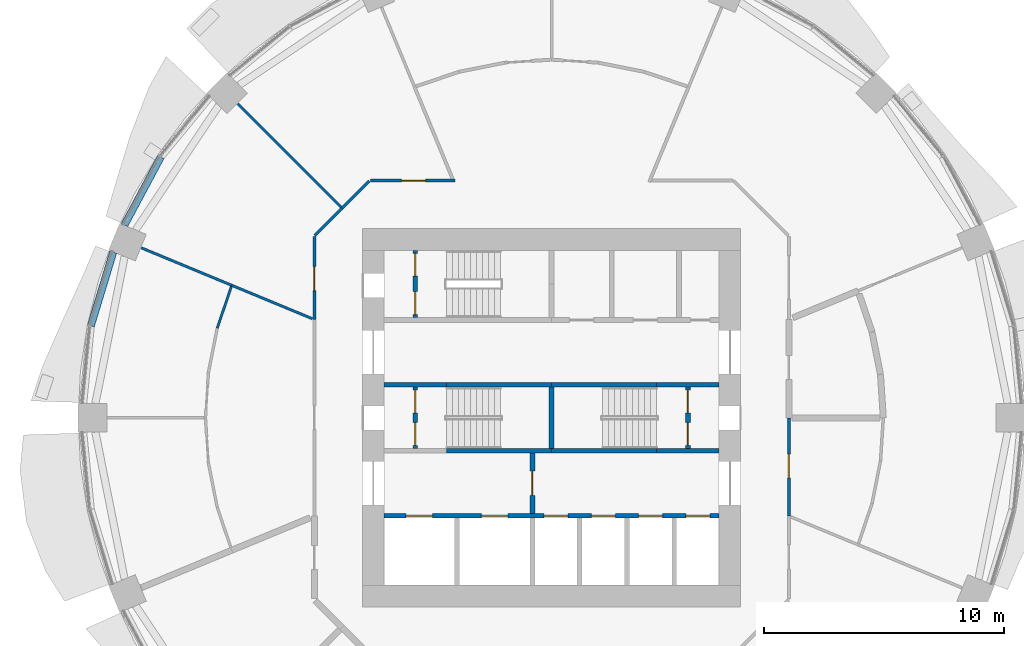
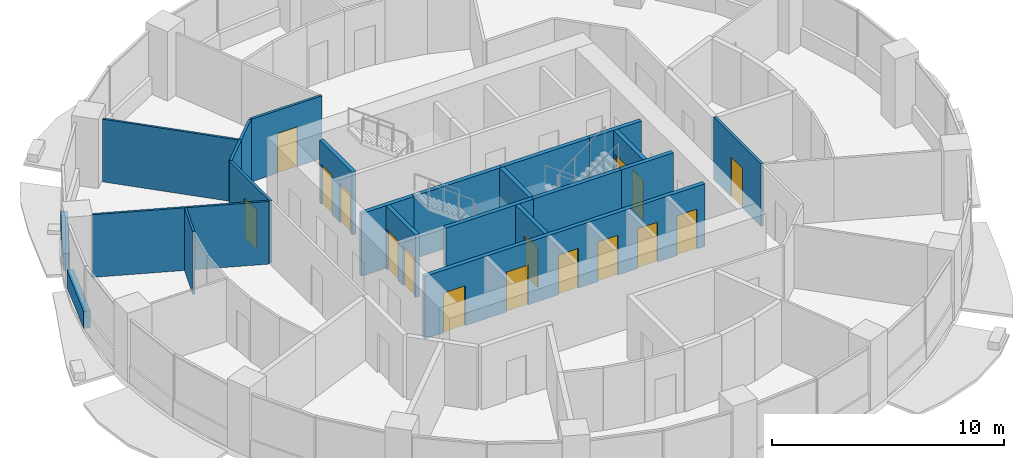
# One storey, part 9 of 15: 24 walls, 16 doors, 16 openings.
"""IFC4 building model written with IfcOpenShell, lengths in metres."""

from ifc_helpers import new_model, si_unit, direction, frame, frame_2d, origin, place, context, subcontext, project, spatial, rectangle, extrude, material, layer, layer_set, type_object, element, fill, save


model = new_model("IFC4")

# Units and contexts
model_context = context("Model", 3, precision=1e-05, world=origin(), true_north=direction((0.0, 1.0)))
body_context = subcontext(model_context, "Body", "Model", "MODEL_VIEW")
ifc_project = project(units=[si_unit("LENGTHUNIT", "METRE"), si_unit("AREAUNIT", "SQUARE_METRE"), si_unit("VOLUMEUNIT", "CUBIC_METRE"), si_unit("PLANEANGLEUNIT", "RADIAN"), si_unit("MASSUNIT", "GRAM", prefix="KILO")], contexts=[model_context])

# Site, building, storey
site_placement = place(None, origin())
site = spatial("IfcSite", under=ifc_project, at=site_placement, CompositionType="ELEMENT")
building_placement = place(site_placement, origin())
building = spatial("IfcBuilding", under=site, at=building_placement, Name="Polderwave Tower", CompositionType="ELEMENT")
storey_placement = place(building_placement, frame((0.0, 0.0, 44.449951171875)))
storey = spatial("IfcBuildingStorey", under=building, at=storey_placement, Name="L11", CompositionType="ELEMENT", Elevation=44.449951171875)

# Walls
ifc_material_1 = material(Name="Concrete C50/60 (board-marked)", Category="concrete")
ifc_layer_1 = layer(ifc_material_1, 0.300048828125)
ifc_layer_set_1 = layer_set([ifc_layer_1], Name="Concrete spandrel upstand C50/60")
wall_type_1 = type_object("IfcWallType", Name="Concrete spandrel upstand C50/60", PredefinedType="SOLIDWALL", material=ifc_layer_set_1)
wall_1_placement = place(storey_placement, frame((-16.27001953125, 10.853759765625, 0.0), z_axis=(0.0, 0.0, 1.0), x_axis=(-0.471284265614, -0.881981372243, 0.0)))
element("IfcWall", 1, at=wall_1_placement, inside=storey, type_object=wall_type_1, Name="Spandrel L11 7b", PredefinedType="SOLIDWALL", context=body_context, shape_type="SweptSolid", body=[
    extrude(rectangle(XDim=3.20361328125, YDim=0.300048828125, at=frame_2d((1.601806640625, 0.0))), origin(), (0.0, 0.0, 1.0), 0.900146484375),
])
wall_2_placement = place(storey_placement, frame((-18.24951171875, 6.89453125, 0.0), z_axis=(0.0, 0.0, 1.0), x_axis=(-0.290472877795, -0.956883225512, 0.0)))
element("IfcWall", 2, at=wall_2_placement, inside=storey, type_object=wall_type_1, Name="Spandrel L11 8a", PredefinedType="SOLIDWALL", context=body_context, shape_type="SweptSolid", body=[
    extrude(rectangle(XDim=3.202392578125, YDim=0.300048828125, at=frame_2d((1.60107421875, 0.0))), origin(), (0.0, 0.0, 1.0), 0.900146484375),
])

# Wall, opening, door
ifc_material_2 = material(Name="Gypsum board partition")
ifc_layer_2 = layer(ifc_material_2, 0.199951171875)
ifc_layer_set_2 = layer_set([ifc_layer_2], Name="Core room partition 200")
wall_type_2 = type_object("IfcWallType", Name="Core room partition 200", PredefinedType="PARTITIONING", material=ifc_layer_set_2)
wall_3_placement = place(storey_placement, frame((-0.800048828125, -3.97412109375, 0.0), z_axis=(0.0, 0.0, 1.0), x_axis=(0.0, 1.0, 0.0)))
wall_3 = element("IfcWall", 3, at=wall_3_placement, inside=storey, type_object=wall_type_2, Name="L11 fire-fighting lobby wall", PredefinedType="PARTITIONING", context=body_context, shape_type="SweptSolid", body=[
    extrude(rectangle(XDim=2.4990234375, YDim=0.199951171875, at=frame_2d((1.24951171875, 0.0))), origin(), (0.0, 0.0, 1.0), 3.300048828125),
])
opening_1_placement = place(wall_3_placement, frame((0.74951171875, 0.0, 0.0)))
opening_1 = element("IfcOpeningElement", 4, at=opening_1_placement, cuts=wall_3, Name="Opening L11-D13", PredefinedType="OPENING", context=body_context, shape_type="SweptSolid", body=[
    extrude(rectangle(XDim=1.0, YDim=2.10009765625, at=frame_2d((0.5, 1.050048828125))), frame((0.0, 0.10986328125, 0.0), z_axis=(0.0, -1.0, 0.0), x_axis=(1.0, 0.0, 0.0)), (0.0, 0.0, 1.0), 0.219970703125),
])
ifc_material_3 = material(Name="Steel fire door", Category="steel")
door_type_1 = type_object("IfcDoorType", Name="Lobby fire door 1000", OperationType="NOTDEFINED", PredefinedType="DOOR", material=ifc_material_3)
door_1_placement = place(opening_1_placement, frame((1.0, 0.0, 0.0), z_axis=(0.0, 0.0, 1.0), x_axis=(-1.0, 0.0, 0.0)))
door_1 = element("IfcDoor", 5, at=door_1_placement, inside=storey, type_object=door_type_1, Name="Fire-fighting lobby door", OperationType="SINGLE_SWING_LEFT", OverallHeight=2.10009765625, OverallWidth=1.0, PredefinedType="DOOR", context=body_context, shape_type="SweptSolid", body=[
    extrude(rectangle(XDim=1.0, YDim=2.10009765625, at=frame_2d((0.5, 1.050048828125))), frame((0.0, 0.02490234375, 0.0), z_axis=(0.0, -1.0, 0.0), x_axis=(1.0, 0.0, 0.0)), (0.0, 0.0, 1.0), 0.050048828125),
])
fill(opening_1, door_1)

# Wall, openings, doors
wall_4_placement = place(storey_placement, frame((-5.674072265625, -1.27490234375, 0.0), z_axis=(0.0, 0.0, 1.0), x_axis=(0.0, 1.0, 0.0)))
wall_4 = element("IfcWall", 6, at=wall_4_placement, inside=storey, type_object=wall_type_2, Name="L11 smoke lobby wall A", PredefinedType="PARTITIONING", context=body_context, shape_type="SweptSolid", body=[
    extrude(rectangle(XDim=2.5498046875, YDim=0.199951171875, at=frame_2d((1.27490234375, 0.0))), origin(), (0.0, 0.0, 1.0), 3.300048828125),
])
opening_2_placement = place(wall_4_placement, frame((0.125, 0.0, 0.0)))
opening_2 = element("IfcOpeningElement", 7, at=opening_2_placement, cuts=wall_4, Name="Opening L11-D07", PredefinedType="OPENING", context=body_context, shape_type="SweptSolid", body=[
    extrude(rectangle(XDim=0.949951171875, YDim=2.10009765625, at=frame_2d((0.47509765625, 1.050048828125))), frame((0.0, 0.10986328125, 0.0), z_axis=(0.0, -1.0, 0.0), x_axis=(1.0, 0.0, 0.0)), (0.0, 0.0, 1.0), 0.219970703125),
])
opening_3_placement = place(wall_4_placement, frame((1.47509765625, 0.0, 0.0)))
opening_3 = element("IfcOpeningElement", 8, at=opening_3_placement, cuts=wall_4, Name="Opening L11-D08", PredefinedType="OPENING", context=body_context, shape_type="SweptSolid", body=[
    extrude(rectangle(XDim=0.949951171875, YDim=2.10009765625, at=frame_2d((0.47509765625, 1.050048828125))), frame((0.0, 0.10986328125, 0.0), z_axis=(0.0, -1.0, 0.0), x_axis=(1.0, 0.0, 0.0)), (0.0, 0.0, 1.0), 0.219970703125),
])
door_type_2 = type_object("IfcDoorType", Name="Smoke lobby door 950", OperationType="NOTDEFINED", PredefinedType="DOOR", material=ifc_material_3)
door_2_placement = place(opening_2_placement, origin())
door_2 = element("IfcDoor", 9, at=door_2_placement, inside=storey, type_object=door_type_2, Name="Stair A smoke lobby inner door", OperationType="SINGLE_SWING_LEFT", OverallHeight=2.10009765625, OverallWidth=0.949951171875, PredefinedType="DOOR", context=body_context, shape_type="SweptSolid", body=[
    extrude(rectangle(XDim=0.949951171875, YDim=2.10009765625, at=frame_2d((0.47509765625, 1.050048828125))), frame((0.0, 0.02490234375, 0.0), z_axis=(0.0, -1.0, 0.0), x_axis=(1.0, 0.0, 0.0)), (0.0, 0.0, 1.0), 0.050048828125),
])
fill(opening_2, door_2)
door_3_placement = place(opening_3_placement, origin())
door_3 = element("IfcDoor", 10, at=door_3_placement, inside=storey, type_object=door_type_2, Name="Stair A smoke lobby inner door", OperationType="SINGLE_SWING_RIGHT", OverallHeight=2.10009765625, OverallWidth=0.949951171875, PredefinedType="DOOR", context=body_context, shape_type="SweptSolid", body=[
    extrude(rectangle(XDim=0.949951171875, YDim=2.10009765625, at=frame_2d((0.47509765625, 1.050048828125))), frame((0.0, 0.02490234375, 0.0), z_axis=(0.0, -1.0, 0.0), x_axis=(1.0, 0.0, 0.0)), (0.0, 0.0, 1.0), 0.050048828125),
])
fill(opening_3, door_3)

wall_5_placement = place(storey_placement, frame((5.674072265625, -1.27490234375, 0.0), z_axis=(0.0, 0.0, 1.0), x_axis=(0.0, 1.0, 0.0)))
wall_5 = element("IfcWall", 11, at=wall_5_placement, inside=storey, type_object=wall_type_2, Name="L11 smoke lobby wall B", PredefinedType="PARTITIONING", context=body_context, shape_type="SweptSolid", body=[
    extrude(rectangle(XDim=2.5498046875, YDim=0.199951171875, at=frame_2d((1.27490234375, 0.0))), origin(), (0.0, 0.0, 1.0), 3.300048828125),
])
opening_4_placement = place(wall_5_placement, frame((0.125, 0.0, 0.0)))
opening_4 = element("IfcOpeningElement", 12, at=opening_4_placement, cuts=wall_5, Name="Opening L11-D09", PredefinedType="OPENING", context=body_context, shape_type="SweptSolid", body=[
    extrude(rectangle(XDim=0.949951171875, YDim=2.10009765625, at=frame_2d((0.47509765625, 1.050048828125))), frame((0.0, 0.10986328125, 0.0), z_axis=(0.0, -1.0, 0.0), x_axis=(1.0, 0.0, 0.0)), (0.0, 0.0, 1.0), 0.219970703125),
])
opening_5_placement = place(wall_5_placement, frame((1.47509765625, 0.0, 0.0)))
opening_5 = element("IfcOpeningElement", 13, at=opening_5_placement, cuts=wall_5, Name="Opening L11-D10", PredefinedType="OPENING", context=body_context, shape_type="SweptSolid", body=[
    extrude(rectangle(XDim=0.949951171875, YDim=2.10009765625, at=frame_2d((0.47509765625, 1.050048828125))), frame((0.0, 0.10986328125, 0.0), z_axis=(0.0, -1.0, 0.0), x_axis=(1.0, 0.0, 0.0)), (0.0, 0.0, 1.0), 0.219970703125),
])
door_4_placement = place(opening_4_placement, frame((0.949951171875, 0.0, 0.0), z_axis=(0.0, 0.0, 1.0), x_axis=(-1.0, 0.0, 0.0)))
door_4 = element("IfcDoor", 14, at=door_4_placement, inside=storey, type_object=door_type_2, Name="Stair B smoke lobby inner door", OperationType="SINGLE_SWING_RIGHT", OverallHeight=2.10009765625, OverallWidth=0.949951171875, PredefinedType="DOOR", context=body_context, shape_type="SweptSolid", body=[
    extrude(rectangle(XDim=0.949951171875, YDim=2.10009765625, at=frame_2d((0.47509765625, 1.050048828125))), frame((0.0, 0.02490234375, 0.0), z_axis=(0.0, -1.0, 0.0), x_axis=(1.0, 0.0, 0.0)), (0.0, 0.0, 1.0), 0.050048828125),
])
fill(opening_4, door_4)
door_5_placement = place(opening_5_placement, frame((0.949951171875, 0.0, 0.0), z_axis=(0.0, 0.0, 1.0), x_axis=(-1.0, 0.0, 0.0)))
door_5 = element("IfcDoor", 15, at=door_5_placement, inside=storey, type_object=door_type_2, Name="Stair B smoke lobby inner door", OperationType="SINGLE_SWING_LEFT", OverallHeight=2.10009765625, OverallWidth=0.949951171875, PredefinedType="DOOR", context=body_context, shape_type="SweptSolid", body=[
    extrude(rectangle(XDim=0.949951171875, YDim=2.10009765625, at=frame_2d((0.47509765625, 1.050048828125))), frame((0.0, 0.02490234375, 0.0), z_axis=(0.0, -1.0, 0.0), x_axis=(1.0, 0.0, 0.0)), (0.0, 0.0, 1.0), 0.050048828125),
])
fill(opening_5, door_5)

wall_6_placement = place(storey_placement, frame((-5.674072265625, 4.174072265625, 0.0), z_axis=(0.0, 0.0, 1.0), x_axis=(0.0, 1.0, 0.0)))
wall_6 = element("IfcWall", 16, at=wall_6_placement, inside=storey, type_object=wall_type_2, Name="L11 smoke lobby wall C", PredefinedType="PARTITIONING", context=body_context, shape_type="SweptSolid", body=[
    extrude(rectangle(XDim=2.800048828125, YDim=0.199951171875, at=frame_2d((1.39990234375, 0.0))), origin(), (0.0, 0.0, 1.0), 3.300048828125),
])
opening_6_placement = place(wall_6_placement, frame((0.125, 0.0, 0.0)))
opening_6 = element("IfcOpeningElement", 17, at=opening_6_placement, cuts=wall_6, Name="Opening L11-D11", PredefinedType="OPENING", context=body_context, shape_type="SweptSolid", body=[
    extrude(rectangle(XDim=0.949951171875, YDim=2.10009765625, at=frame_2d((0.47509765625, 1.050048828125))), frame((0.0, 0.10986328125, 0.0), z_axis=(0.0, -1.0, 0.0), x_axis=(1.0, 0.0, 0.0)), (0.0, 0.0, 1.0), 0.219970703125),
])
opening_7_placement = place(wall_6_placement, frame((1.72509765625, 0.0, 0.0)))
opening_7 = element("IfcOpeningElement", 18, at=opening_7_placement, cuts=wall_6, Name="Opening L11-D12", PredefinedType="OPENING", context=body_context, shape_type="SweptSolid", body=[
    extrude(rectangle(XDim=0.949951171875, YDim=2.10009765625, at=frame_2d((0.47509765625, 1.050048828125))), frame((0.0, 0.10986328125, 0.0), z_axis=(0.0, -1.0, 0.0), x_axis=(1.0, 0.0, 0.0)), (0.0, 0.0, 1.0), 0.219970703125),
])
door_6_placement = place(opening_6_placement, origin())
door_6 = element("IfcDoor", 19, at=door_6_placement, inside=storey, type_object=door_type_2, Name="Stair C smoke lobby inner door", OperationType="SINGLE_SWING_LEFT", OverallHeight=2.10009765625, OverallWidth=0.949951171875, PredefinedType="DOOR", context=body_context, shape_type="SweptSolid", body=[
    extrude(rectangle(XDim=0.949951171875, YDim=2.10009765625, at=frame_2d((0.47509765625, 1.050048828125))), frame((0.0, 0.02490234375, 0.0), z_axis=(0.0, -1.0, 0.0), x_axis=(1.0, 0.0, 0.0)), (0.0, 0.0, 1.0), 0.050048828125),
])
fill(opening_6, door_6)
door_7_placement = place(opening_7_placement, origin())
door_7 = element("IfcDoor", 20, at=door_7_placement, inside=storey, type_object=door_type_2, Name="Stair C smoke lobby inner door", OperationType="SINGLE_SWING_RIGHT", OverallHeight=2.10009765625, OverallWidth=0.949951171875, PredefinedType="DOOR", context=body_context, shape_type="SweptSolid", body=[
    extrude(rectangle(XDim=0.949951171875, YDim=2.10009765625, at=frame_2d((0.47509765625, 1.050048828125))), frame((0.0, 0.02490234375, 0.0), z_axis=(0.0, -1.0, 0.0), x_axis=(1.0, 0.0, 0.0)), (0.0, 0.0, 1.0), 0.050048828125),
])
fill(opening_7, door_7)

ifc_material_4 = material(Name="Concrete C50/60", Category="concrete")
ifc_layer_3 = layer(ifc_material_4, 0.199951171875)
ifc_layer_set_3 = layer_set([ifc_layer_3], Name="Core web wall 200")
wall_type_3 = type_object("IfcWallType", Name="Core web wall 200", PredefinedType="SHEAR", material=ifc_layer_set_3)
wall_7_placement = place(storey_placement, frame((-6.97412109375, -4.073974609375, 0.0), z_axis=(0.0, 0.0, 1.0), x_axis=(1.0, 0.0, 0.0)))
wall_7 = element("IfcWall", 21, at=wall_7_placement, inside=storey, type_object=wall_type_3, Name="L11 south front wall", PredefinedType="SHEAR", context=body_context, shape_type="SweptSolid", body=[
    extrude(rectangle(XDim=13.9482421875, YDim=0.199951171875, at=frame_2d((6.97412109375, 0.0))), origin(), (0.0, 0.0, 1.0), 3.300048828125),
])
opening_8_placement = place(wall_7_placement, frame((0.91845703125, 0.0, 0.0)))
opening_8 = element("IfcOpeningElement", 22, at=opening_8_placement, cuts=wall_7, Name="Opening L11-D01", PredefinedType="OPENING", context=body_context, shape_type="SweptSolid", body=[
    extrude(rectangle(XDim=1.10009765625, YDim=2.10009765625, at=frame_2d((0.550048828125, 1.050048828125))), frame((0.0, 0.10986328125, 0.0), z_axis=(0.0, -1.0, 0.0), x_axis=(1.0, 0.0, 0.0)), (0.0, 0.0, 1.0), 0.219970703125),
])
opening_9_placement = place(wall_7_placement, frame((4.055419921875, 0.0, 0.0)))
opening_9 = element("IfcOpeningElement", 23, at=opening_9_placement, cuts=wall_7, Name="Opening L11-D02", PredefinedType="OPENING", context=body_context, shape_type="SweptSolid", body=[
    extrude(rectangle(XDim=1.10009765625, YDim=2.10009765625, at=frame_2d((0.550048828125, 1.050048828125))), frame((0.0, 0.10986328125, 0.0), z_axis=(0.0, -1.0, 0.0), x_axis=(1.0, 0.0, 0.0)), (0.0, 0.0, 1.0), 0.219970703125),
])
opening_10_placement = place(wall_7_placement, frame((6.658203125, 0.0, 0.0)))
opening_10 = element("IfcOpeningElement", 24, at=opening_10_placement, cuts=wall_7, Name="Opening L11-D03", PredefinedType="OPENING", context=body_context, shape_type="SweptSolid", body=[
    extrude(rectangle(XDim=1.0, YDim=2.10009765625, at=frame_2d((0.5, 1.050048828125))), frame((0.0, 0.10986328125, 0.0), z_axis=(0.0, -1.0, 0.0), x_axis=(1.0, 0.0, 0.0)), (0.0, 0.0, 1.0), 0.219970703125),
])
opening_11_placement = place(wall_7_placement, frame((8.626708984375, 0.0, 0.0)))
opening_11 = element("IfcOpeningElement", 25, at=opening_11_placement, cuts=wall_7, Name="Opening L11-D04", PredefinedType="OPENING", context=body_context, shape_type="SweptSolid", body=[
    extrude(rectangle(XDim=1.0, YDim=2.10009765625, at=frame_2d((0.5, 1.050048828125))), frame((0.0, 0.10986328125, 0.0), z_axis=(0.0, -1.0, 0.0), x_axis=(1.0, 0.0, 0.0)), (0.0, 0.0, 1.0), 0.219970703125),
])
opening_12_placement = place(wall_7_placement, frame((10.59521484375, 0.0, 0.0)))
opening_12 = element("IfcOpeningElement", 26, at=opening_12_placement, cuts=wall_7, Name="Opening L11-D05", PredefinedType="OPENING", context=body_context, shape_type="SweptSolid", body=[
    extrude(rectangle(XDim=1.0, YDim=2.10009765625, at=frame_2d((0.5, 1.050048828125))), frame((0.0, 0.10986328125, 0.0), z_axis=(0.0, -1.0, 0.0), x_axis=(1.0, 0.0, 0.0)), (0.0, 0.0, 1.0), 0.219970703125),
])
opening_13_placement = place(wall_7_placement, frame((12.563720703125, 0.0, 0.0)))
opening_13 = element("IfcOpeningElement", 27, at=opening_13_placement, cuts=wall_7, Name="Opening L11-D06", PredefinedType="OPENING", context=body_context, shape_type="SweptSolid", body=[
    extrude(rectangle(XDim=1.0, YDim=2.10009765625, at=frame_2d((0.5, 1.050048828125))), frame((0.0, 0.10986328125, 0.0), z_axis=(0.0, -1.0, 0.0), x_axis=(1.0, 0.0, 0.0)), (0.0, 0.0, 1.0), 0.219970703125),
])
ifc_material_5 = material(Name="Stainless steel", Category="steel")
door_type_3 = type_object("IfcDoorType", Name="Fire-fighting lift landing door 1100", OperationType="DOUBLE_DOOR_SLIDING", PredefinedType="DOOR", material=ifc_material_5)
door_8_placement = place(opening_8_placement, origin())
door_8 = element("IfcDoor", 28, at=door_8_placement, inside=storey, type_object=door_type_3, Name="Fire-fighting lift FF1 landing door", OperationType="DOUBLE_DOOR_SLIDING", OverallHeight=2.10009765625, OverallWidth=1.10009765625, PredefinedType="DOOR", context=body_context, shape_type="SweptSolid", body=[
    extrude(rectangle(XDim=1.10009765625, YDim=2.10009765625, at=frame_2d((0.550048828125, 1.050048828125))), frame((0.0, 0.02490234375, 0.0), z_axis=(0.0, -1.0, 0.0), x_axis=(1.0, 0.0, 0.0)), (0.0, 0.0, 1.0), 0.050048828125),
])
fill(opening_8, door_8)
door_9_placement = place(opening_9_placement, origin())
door_9 = element("IfcDoor", 29, at=door_9_placement, inside=storey, type_object=door_type_3, Name="Fire-fighting lift FF2 landing door", OperationType="DOUBLE_DOOR_SLIDING", OverallHeight=2.10009765625, OverallWidth=1.10009765625, PredefinedType="DOOR", context=body_context, shape_type="SweptSolid", body=[
    extrude(rectangle(XDim=1.10009765625, YDim=2.10009765625, at=frame_2d((0.550048828125, 1.050048828125))), frame((0.0, 0.02490234375, 0.0), z_axis=(0.0, -1.0, 0.0), x_axis=(1.0, 0.0, 0.0)), (0.0, 0.0, 1.0), 0.050048828125),
])
fill(opening_9, door_9)
door_type_4 = type_object("IfcDoorType", Name="Lift landing door 1000", OperationType="DOUBLE_DOOR_SLIDING", PredefinedType="DOOR", material=ifc_material_5)
door_10_placement = place(opening_10_placement, origin())
door_10 = element("IfcDoor", 30, at=door_10_placement, inside=storey, type_object=door_type_4, Name="Lift LL1 landing door", OperationType="DOUBLE_DOOR_SLIDING", OverallHeight=2.10009765625, OverallWidth=1.0, PredefinedType="DOOR", context=body_context, shape_type="SweptSolid", body=[
    extrude(rectangle(XDim=1.0, YDim=2.10009765625, at=frame_2d((0.5, 1.050048828125))), frame((0.0, 0.02490234375, 0.0), z_axis=(0.0, -1.0, 0.0), x_axis=(1.0, 0.0, 0.0)), (0.0, 0.0, 1.0), 0.050048828125),
])
fill(opening_10, door_10)
door_11_placement = place(opening_11_placement, origin())
door_11 = element("IfcDoor", 31, at=door_11_placement, inside=storey, type_object=door_type_4, Name="Lift LL2 landing door", OperationType="DOUBLE_DOOR_SLIDING", OverallHeight=2.10009765625, OverallWidth=1.0, PredefinedType="DOOR", context=body_context, shape_type="SweptSolid", body=[
    extrude(rectangle(XDim=1.0, YDim=2.10009765625, at=frame_2d((0.5, 1.050048828125))), frame((0.0, 0.02490234375, 0.0), z_axis=(0.0, -1.0, 0.0), x_axis=(1.0, 0.0, 0.0)), (0.0, 0.0, 1.0), 0.050048828125),
])
fill(opening_11, door_11)
door_12_placement = place(opening_12_placement, origin())
door_12 = element("IfcDoor", 32, at=door_12_placement, inside=storey, type_object=door_type_4, Name="Lift LL3 landing door", OperationType="DOUBLE_DOOR_SLIDING", OverallHeight=2.10009765625, OverallWidth=1.0, PredefinedType="DOOR", context=body_context, shape_type="SweptSolid", body=[
    extrude(rectangle(XDim=1.0, YDim=2.10009765625, at=frame_2d((0.5, 1.050048828125))), frame((0.0, 0.02490234375, 0.0), z_axis=(0.0, -1.0, 0.0), x_axis=(1.0, 0.0, 0.0)), (0.0, 0.0, 1.0), 0.050048828125),
])
fill(opening_12, door_12)
door_13_placement = place(opening_13_placement, origin())
door_13 = element("IfcDoor", 33, at=door_13_placement, inside=storey, type_object=door_type_4, Name="Lift LL4 landing door", OperationType="DOUBLE_DOOR_SLIDING", OverallHeight=2.10009765625, OverallWidth=1.0, PredefinedType="DOOR", context=body_context, shape_type="SweptSolid", body=[
    extrude(rectangle(XDim=1.0, YDim=2.10009765625, at=frame_2d((0.5, 1.050048828125))), frame((0.0, 0.02490234375, 0.0), z_axis=(0.0, -1.0, 0.0), x_axis=(1.0, 0.0, 0.0)), (0.0, 0.0, 1.0), 0.050048828125),
])
fill(opening_13, door_13)

# Walls
for number, where, z_axis, x_axis, name in (
    (34, (-4.3740234375, -1.375, 0.0), (0.0, 0.0, 1.0), (1.0, 0.0, 0.0), "L11 south stair wall 2"),
    (35, (0.0, -1.375, 0.0), (0.0, 0.0, 1.0), (1.0, 0.0, 0.0), "L11 south stair wall 3"),
):
    element("IfcWall", number, at=place(storey_placement, frame(where, z_axis=z_axis, x_axis=x_axis)), inside=storey, type_object=wall_type_3, Name=name, PredefinedType="SHEAR", context=body_context, shape_type="SweptSolid", body=[
        extrude(rectangle(XDim=4.3740234375, YDim=0.199951171875, at=frame_2d((2.18701171875, 0.0))), origin(), (0.0, 0.0, 1.0), 3.300048828125),
    ])
for number, where, z_axis, x_axis, name in (
    (36, (4.3740234375, -1.375, 0.0), (0.0, 0.0, 1.0), (1.0, 0.0, 0.0), "L11 south stair wall 4"),
    (37, (-6.97412109375, 1.375, 0.0), (0.0, 0.0, 1.0), (1.0, 0.0, 0.0), "L11 north stair wall 1"),
):
    element("IfcWall", number, at=place(storey_placement, frame(where, z_axis=z_axis, x_axis=x_axis)), inside=storey, type_object=wall_type_3, Name=name, PredefinedType="SHEAR", context=body_context, shape_type="SweptSolid", body=[
        extrude(rectangle(XDim=2.60009765625, YDim=0.199951171875, at=frame_2d((1.300048828125, 0.0))), origin(), (0.0, 0.0, 1.0), 3.300048828125),
    ])
for number, where, z_axis, x_axis, name in (
    (38, (-4.3740234375, 1.375, 0.0), (0.0, 0.0, 1.0), (1.0, 0.0, 0.0), "L11 north stair wall 2"),
    (39, (0.0, 1.375, 0.0), (0.0, 0.0, 1.0), (1.0, 0.0, 0.0), "L11 north stair wall 3"),
):
    element("IfcWall", number, at=place(storey_placement, frame(where, z_axis=z_axis, x_axis=x_axis)), inside=storey, type_object=wall_type_3, Name=name, PredefinedType="SHEAR", context=body_context, shape_type="SweptSolid", body=[
        extrude(rectangle(XDim=4.3740234375, YDim=0.199951171875, at=frame_2d((2.18701171875, 0.0))), origin(), (0.0, 0.0, 1.0), 3.300048828125),
    ])
wall_8_placement = place(storey_placement, frame((4.3740234375, 1.375, 0.0), z_axis=(0.0, 0.0, 1.0), x_axis=(1.0, 0.0, 0.0)))
element("IfcWall", 40, at=wall_8_placement, inside=storey, type_object=wall_type_3, Name="L11 north stair wall 4", PredefinedType="SHEAR", context=body_context, shape_type="SweptSolid", body=[
    extrude(rectangle(XDim=2.60009765625, YDim=0.199951171875, at=frame_2d((1.300048828125, 0.0))), origin(), (0.0, 0.0, 1.0), 3.300048828125),
])
wall_9_placement = place(storey_placement, frame((0.0, -1.27490234375, 0.0), z_axis=(0.0, 0.0, 1.0), x_axis=(0.0, 1.0, 0.0)))
element("IfcWall", 41, at=wall_9_placement, inside=storey, type_object=wall_type_3, Name="L11 wall between the stairs", PredefinedType="SHEAR", context=body_context, shape_type="SweptSolid", body=[
    extrude(rectangle(XDim=2.5498046875, YDim=0.199951171875, at=frame_2d((1.27490234375, 0.0))), origin(), (0.0, 0.0, 1.0), 3.300048828125),
])

# Wall, opening, door
ifc_material_6 = material(Name="Fire-resisting board on steel studs", Category="steel")
ifc_layer_4 = layer(ifc_material_6, 0.125)
ifc_layer_set_4 = layer_set([ifc_layer_4], Name="Corridor wall 125 mm EI 60")
wall_type_4 = type_object("IfcWallType", Name="Corridor wall 125 mm EI 60", PredefinedType="PARTITIONING", material=ifc_layer_set_4)
wall_10_placement = place(storey_placement, frame((9.8740234375, 0.0, 0.0), z_axis=(0.0, 0.0, 1.0), x_axis=(0.0, -1.0, 0.0)))
wall_10 = element("IfcWall", 42, at=wall_10_placement, inside=storey, type_object=wall_type_4, Name="IN-L11-W006", PredefinedType="PARTITIONING", context=body_context, shape_type="SweptSolid", body=[
    extrude(rectangle(XDim=4.08984375, YDim=0.125, at=frame_2d((2.044921875, 0.0))), origin(), (0.0, 0.0, 1.0), 3.300048828125),
])
opening_14_placement = place(wall_10_placement, frame((1.5, 0.0, 0.0)))
opening_14 = element("IfcOpeningElement", 43, at=opening_14_placement, cuts=wall_10, Name="Opening L11-D53", PredefinedType="OPENING", context=body_context, shape_type="SweptSolid", body=[
    extrude(rectangle(XDim=1.0, YDim=2.10009765625, at=frame_2d((0.5, 1.050048828125))), frame((0.0, 0.072509765625, 0.0), z_axis=(0.0, -1.0, 0.0), x_axis=(1.0, 0.0, 0.0)), (0.0, 0.0, 1.0), 0.14501953125),
])
ifc_material_7 = material(Name="Timber fire door leaf", Category="wood")
door_type_5 = type_object("IfcDoorType", Name="Fire door FD30S 1000 x 2100", OperationType="NOTDEFINED", PredefinedType="DOOR", material=ifc_material_7)
door_14_placement = place(opening_14_placement, origin())
door_14 = element("IfcDoor", 44, at=door_14_placement, inside=storey, type_object=door_type_5, Name="Door L11-D53", OperationType="SINGLE_SWING_LEFT", OverallHeight=2.10009765625, OverallWidth=1.0, PredefinedType="DOOR", context=body_context, shape_type="SweptSolid", body=[
    extrude(rectangle(XDim=1.0, YDim=2.10009765625, at=frame_2d((0.5, 1.050048828125))), frame((0.0, 0.02490234375, 0.0), z_axis=(0.0, -1.0, 0.0), x_axis=(1.0, 0.0, 0.0)), (0.0, 0.0, 1.0), 0.050048828125),
])
fill(opening_14, door_14)

# Wall
wall_11_placement = place(storey_placement, frame((-8.722412109375, 8.722412109375, 0.0), z_axis=(0.0, 0.0, 1.0), x_axis=(0.707030604857, 0.70718294931, 0.0)))
element("IfcWall", 45, at=wall_11_placement, inside=storey, type_object=wall_type_4, Name="IN-L11-W009", PredefinedType="PARTITIONING", context=body_context, shape_type="SweptSolid", body=[
    extrude(rectangle(XDim=1.6025390625, YDim=0.125, at=frame_2d((0.80126953125, 0.0))), origin(), (0.0, 0.0, 1.0), 3.300048828125),
])

# Wall, opening, door
wall_12_placement = place(storey_placement, frame((-7.545166015625, 9.8740234375, 0.0), z_axis=(0.0, 0.0, 1.0), x_axis=(1.0, 0.0, 0.0)))
wall_12 = element("IfcWall", 46, at=wall_12_placement, inside=storey, type_object=wall_type_4, Name="IN-L11-W010", PredefinedType="PARTITIONING", context=body_context, shape_type="SweptSolid", body=[
    extrude(rectangle(XDim=3.517822265625, YDim=0.125, at=frame_2d((1.7587890625, 0.0))), origin(), (0.0, 0.0, 1.0), 3.300048828125),
])
opening_15_placement = place(wall_12_placement, frame((1.300048828125, 0.0, 0.0)))
opening_15 = element("IfcOpeningElement", 47, at=opening_15_placement, cuts=wall_12, Name="Opening L11-D54", PredefinedType="OPENING", context=body_context, shape_type="SweptSolid", body=[
    extrude(rectangle(XDim=1.0, YDim=2.10009765625, at=frame_2d((0.5, 1.050048828125))), frame((0.0, 0.072509765625, 0.0), z_axis=(0.0, -1.0, 0.0), x_axis=(1.0, 0.0, 0.0)), (0.0, 0.0, 1.0), 0.14501953125),
])
door_15_placement = place(opening_15_placement, origin())
door_15 = element("IfcDoor", 48, at=door_15_placement, inside=storey, type_object=door_type_5, Name="Door L11-D54", OperationType="SINGLE_SWING_RIGHT", OverallHeight=2.10009765625, OverallWidth=1.0, PredefinedType="DOOR", context=body_context, shape_type="SweptSolid", body=[
    extrude(rectangle(XDim=1.0, YDim=2.10009765625, at=frame_2d((0.5, 1.050048828125))), frame((0.0, 0.02490234375, 0.0), z_axis=(0.0, -1.0, 0.0), x_axis=(1.0, 0.0, 0.0)), (0.0, 0.0, 1.0), 0.050048828125),
])
fill(opening_15, door_15)

wall_13_placement = place(storey_placement, frame((-9.8740234375, 4.08984375, 0.0), z_axis=(0.0, 0.0, 1.0), x_axis=(0.0, 1.0, 0.0)))
wall_13 = element("IfcWall", 49, at=wall_13_placement, inside=storey, type_object=wall_type_4, Name="IN-L11-W011", PredefinedType="PARTITIONING", context=body_context, shape_type="SweptSolid", body=[
    extrude(rectangle(XDim=3.455322265625, YDim=0.125, at=frame_2d((1.7275390625, 0.0))), origin(), (0.0, 0.0, 1.0), 3.300048828125),
])
opening_16_placement = place(wall_13_placement, frame((1.199951171875, 0.0, 0.0)))
opening_16 = element("IfcOpeningElement", 50, at=opening_16_placement, cuts=wall_13, Name="Opening L11-D55", PredefinedType="OPENING", context=body_context, shape_type="SweptSolid", body=[
    extrude(rectangle(XDim=1.0, YDim=2.10009765625, at=frame_2d((0.5, 1.050048828125))), frame((0.0, 0.072509765625, 0.0), z_axis=(0.0, -1.0, 0.0), x_axis=(1.0, 0.0, 0.0)), (0.0, 0.0, 1.0), 0.14501953125),
])
door_16_placement = place(opening_16_placement, origin())
door_16 = element("IfcDoor", 51, at=door_16_placement, inside=storey, type_object=door_type_5, Name="Door L11-D55", OperationType="SINGLE_SWING_LEFT", OverallHeight=2.10009765625, OverallWidth=1.0, PredefinedType="DOOR", context=body_context, shape_type="SweptSolid", body=[
    extrude(rectangle(XDim=1.0, YDim=2.10009765625, at=frame_2d((0.5, 1.050048828125))), frame((0.0, 0.02490234375, 0.0), z_axis=(0.0, -1.0, 0.0), x_axis=(1.0, 0.0, 0.0)), (0.0, 0.0, 1.0), 0.050048828125),
])
fill(opening_16, door_16)

# Walls
wall_14_placement = place(storey_placement, frame((-9.855712890625, 7.58935546875, 0.0), z_axis=(0.0, 0.0, 1.0), x_axis=(0.70718294931, 0.707030604857, 0.0)))
element("IfcWall", 52, at=wall_14_placement, inside=storey, type_object=wall_type_4, Name="IN-L11-W012", PredefinedType="PARTITIONING", context=body_context, shape_type="SweptSolid", body=[
    extrude(rectangle(XDim=1.6025390625, YDim=0.125, at=frame_2d((0.80126953125, 0.0))), origin(), (0.0, 0.0, 1.0), 3.300048828125),
])
ifc_material_8 = material(Name="Plasterboard on steel studs", Category="steel")
ifc_layer_5 = layer(ifc_material_8, 0.10009765625)
ifc_layer_set_5 = layer_set([ifc_layer_5], Name="Partition 100 mm plasterboard on steel studs")
wall_type_5 = type_object("IfcWallType", Name="Partition 100 mm plasterboard on steel studs", PredefinedType="PARTITIONING", material=ifc_layer_set_5)
wall_15_placement = place(storey_placement, frame((-13.3310546875, 5.46142578125, 0.0), z_axis=(0.0, 0.0, 1.0), x_axis=(-0.321478362794, -0.946916924685, 0.0)))
element("IfcWall", 53, at=wall_15_placement, inside=storey, type_object=wall_type_5, Name="IN-L11-W047", PredefinedType="PARTITIONING", context=body_context, shape_type="SweptSolid", body=[
    extrude(rectangle(XDim=1.82568359375, YDim=0.10009765625, at=frame_2d((0.912841796875, 0.0))), origin(), (0.0, 0.0, 1.0), 3.300048828125),
])
ifc_material_9 = material(Name="Moisture-resistant board on steel studs, tiled", Category="steel")
ifc_layer_6 = layer(ifc_material_9, 0.10498046875)
ifc_layer_set_6 = layer_set([ifc_layer_6], Name="Partition 105 mm wet room board and tile")
wall_type_6 = type_object("IfcWallType", Name="Partition 105 mm wet room board and tile", PredefinedType="PARTITIONING", material=ifc_layer_set_6)
wall_16_placement = place(storey_placement, frame((-8.7666015625, 8.7666015625, 0.0), z_axis=(0.0, 0.0, 1.0), x_axis=(-0.707106781187, 0.707106781187, 0.0)))
element("IfcWall", 54, at=wall_16_placement, inside=storey, type_object=wall_type_6, Name="IN-L11-W042", PredefinedType="PARTITIONING", context=body_context, shape_type="SweptSolid", body=[
    extrude(rectangle(XDim=6.082275390625, YDim=0.10498046875, at=frame_2d((3.041015625, 0.0))), origin(), (0.0, 0.0, 1.0), 3.300048828125),
])
wall_17_placement = place(storey_placement, frame((-13.31298828125, 5.514404296875, 0.0), z_axis=(0.0, 0.0, 1.0), x_axis=(-0.923873536763, 0.382697907061, 0.0)))
element("IfcWall", 55, at=wall_17_placement, inside=storey, type_object=wall_type_6, Name="IN-L11-W043", PredefinedType="PARTITIONING", context=body_context, shape_type="SweptSolid", body=[
    extrude(rectangle(XDim=4.070068359375, YDim=0.10498046875, at=frame_2d((2.03515625, 0.0))), origin(), (0.0, 0.0, 1.0), 3.300048828125),
])
wall_18_placement = place(storey_placement, frame((-9.95654296875, 4.1240234375, 0.0), z_axis=(0.0, 0.0, 1.0), x_axis=(-0.923870220065, 0.382705913825, 0.0)))
element("IfcWall", 56, at=wall_18_placement, inside=storey, type_object=wall_type_6, Name="IN-L11-W044", PredefinedType="PARTITIONING", context=body_context, shape_type="SweptSolid", body=[
    extrude(rectangle(XDim=3.633056640625, YDim=0.10498046875, at=frame_2d((1.81640625, 0.0))), origin(), (0.0, 0.0, 1.0), 3.300048828125),
])

save(model, "model.ifc")
